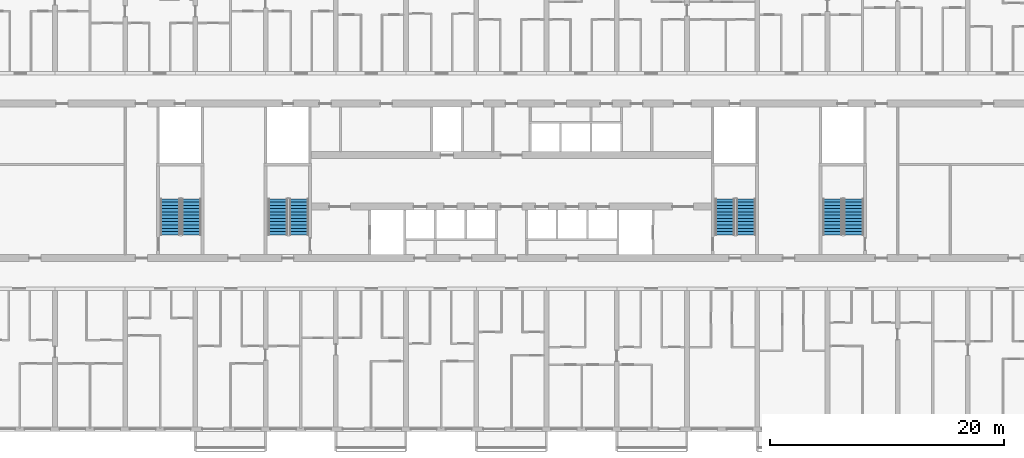
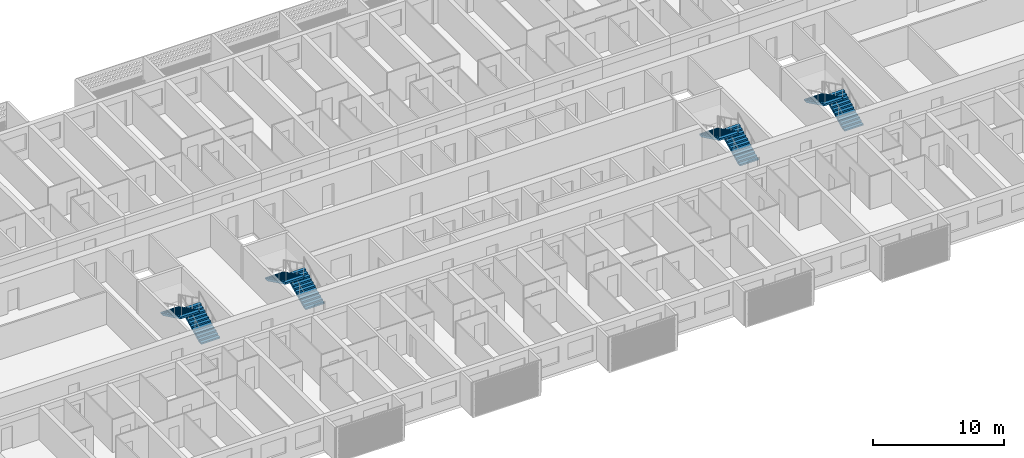
# One storey, part 20 of 44: 8 stair flights, 4 elements without a shape of their own.
"""IFC4 building model written with IfcOpenShell, lengths in metres."""

from ifc_helpers import new_model, si_unit, direction, frame, origin, place, context, subcontext, project, spatial, polyline, outline, extrude, material, layer, layer_set, type_object, element, aggregate, save


model = new_model("IFC4")

# Units and contexts
model_context = context("Model", 3, precision=1e-05, world=origin(), true_north=direction((0.0, 1.0)))
body_context = subcontext(model_context, "Body", "Model", "MODEL_VIEW")
ifc_project = project(units=[si_unit("LENGTHUNIT", "METRE"), si_unit("AREAUNIT", "SQUARE_METRE"), si_unit("VOLUMEUNIT", "CUBIC_METRE"), si_unit("PLANEANGLEUNIT", "RADIAN"), si_unit("MASSUNIT", "GRAM", prefix="KILO")], contexts=[model_context])

# Site, building, storey
site_placement = place(None, origin())
site = spatial("IfcSite", under=ifc_project, at=site_placement, CompositionType="ELEMENT")
building_placement = place(site_placement, origin())
building = spatial("IfcBuilding", under=site, at=building_placement, Name="Poui Terraces", CompositionType="ELEMENT")
storey_placement = place(building_placement, frame((0.0, 0.0, 30.0)))
storey = spatial("IfcBuildingStorey", under=building, at=storey_placement, Name="L07", CompositionType="ELEMENT", Elevation=30.0)

# Stair, stair flights
ifc_material = material(Name="Concrete 80 MPa", Category="concrete")
stair_type = type_object("IfcStairType", Name="EXIT STAIR 1650 80 MPA", PredefinedType="HALF_TURN_STAIR", material=ifc_material)
stair_1_placement = place(storey_placement, origin())
stair_1 = element("IfcStair", 1, at=stair_1_placement, inside=storey, type_object=stair_type, Name="L07 CORE STAIR EAST", PredefinedType="HALF_TURN_STAIR")
ifc_layer = layer(ifc_material, 0.14990234375)
ifc_layer_set = layer_set([ifc_layer], Name="Concrete 80 MPa")
stair_flight_type = type_object("IfcStairFlightType", Name="STAIR FLIGHT 12 RISERS 138 RISE 80 MPA", PredefinedType="STRAIGHT", material=ifc_layer_set)
stair_flight_1_placement = place(storey_placement, frame((71.050048828125, 16.60009765625, 0.0), z_axis=(0.0, 0.0, 1.0), x_axis=(0.0, 1.0, 0.0)))
stair_flight_1 = element("IfcStairFlight", 2, at=stair_flight_1_placement, type_object=stair_flight_type, Name="ST-CE flight 1", NumberOfRisers=12, NumberOfTreads=11, PredefinedType="STRAIGHT", RiserHeight=0.1375, TreadLength=0.28, context=body_context, shape_type="SweptSolid", body=[
    extrude(outline(polyline([(0.0, 0.0), (0.0, 0.137451171875), (0.280029296875, 0.137451171875), (0.280029296875, 0.27490234375), (0.56005859375, 0.27490234375), (0.56005859375, 0.41259765625), (0.840087890625, 0.41259765625), (0.840087890625, 0.550048828125), (1.1201171875, 0.550048828125), (1.1201171875, 0.6875), (1.39990234375, 0.6875), (1.39990234375, 0.824951171875), (1.679931640625, 0.824951171875), (1.679931640625, 0.96240234375), (1.9599609375, 0.96240234375), (1.9599609375, 1.10009765625), (2.239990234375, 1.10009765625), (2.239990234375, 1.237548828125), (2.52001953125, 1.237548828125), (2.52001953125, 1.375), (2.800048828125, 1.375), (2.800048828125, 1.512451171875), (3.080078125, 1.512451171875), (3.080078125, 1.64990234375), (3.080078125, 1.345458984375), (0.340087890625, 0.0), (0.0, 0.0)])), frame((0.0, 0.824951171875, 0.0), z_axis=(0.0, -1.0, 0.0), x_axis=(1.0, 0.0, 0.0)), (0.0, 0.0, 1.0), 1.64990234375),
])
stair_flight_2_placement = place(storey_placement, frame((69.25, 19.679931640625, 1.64990234375), z_axis=(0.0, 0.0, 1.0), x_axis=(0.0, -1.0, 0.0)))
stair_flight_2 = element("IfcStairFlight", 3, at=stair_flight_2_placement, type_object=stair_flight_type, Name="ST-CE flight 2", NumberOfRisers=12, NumberOfTreads=11, PredefinedType="STRAIGHT", RiserHeight=0.1375, TreadLength=0.28, context=body_context, shape_type="SweptSolid", body=[
    extrude(outline(polyline([(0.0, 0.0), (0.0, 0.137451171875), (0.280029296875, 0.137451171875), (0.280029296875, 0.27490234375), (0.56005859375, 0.27490234375), (0.56005859375, 0.41259765625), (0.840087890625, 0.41259765625), (0.840087890625, 0.550048828125), (1.1201171875, 0.550048828125), (1.1201171875, 0.6875), (1.39990234375, 0.6875), (1.39990234375, 0.824951171875), (1.679931640625, 0.824951171875), (1.679931640625, 0.96240234375), (1.9599609375, 0.96240234375), (1.9599609375, 1.10009765625), (2.239990234375, 1.10009765625), (2.239990234375, 1.237548828125), (2.52001953125, 1.237548828125), (2.52001953125, 1.375), (2.800048828125, 1.375), (2.800048828125, 1.512451171875), (3.080078125, 1.512451171875), (3.080078125, 1.64990234375), (3.080078125, 1.345458984375), (0.340087890625, 0.0), (0.0, 0.0)])), frame((0.0, 0.824951171875, 0.0), z_axis=(0.0, -1.0, 0.0), x_axis=(1.0, 0.0, 0.0)), (0.0, 0.0, 1.0), 1.64990234375),
])
aggregate(stair_1, [stair_flight_1, stair_flight_2])

stair_2_placement = place(storey_placement, origin())
stair_2 = element("IfcStair", 4, at=stair_2_placement, inside=storey, type_object=stair_type, Name="L07 CORE STAIR WEST", PredefinedType="HALF_TURN_STAIR")
stair_flight_3_placement = place(storey_placement, frame((32.85009765625, 16.60009765625, 0.0), z_axis=(0.0, 0.0, 1.0), x_axis=(0.0, 1.0, 0.0)))
stair_flight_3 = element("IfcStairFlight", 5, at=stair_flight_3_placement, type_object=stair_flight_type, Name="ST-CW flight 1", NumberOfRisers=12, NumberOfTreads=11, PredefinedType="STRAIGHT", RiserHeight=0.1375, TreadLength=0.28, context=body_context, shape_type="SweptSolid", body=[
    extrude(outline(polyline([(0.0, 0.0), (0.0, 0.137451171875), (0.280029296875, 0.137451171875), (0.280029296875, 0.27490234375), (0.56005859375, 0.27490234375), (0.56005859375, 0.41259765625), (0.840087890625, 0.41259765625), (0.840087890625, 0.550048828125), (1.1201171875, 0.550048828125), (1.1201171875, 0.6875), (1.39990234375, 0.6875), (1.39990234375, 0.824951171875), (1.679931640625, 0.824951171875), (1.679931640625, 0.96240234375), (1.9599609375, 0.96240234375), (1.9599609375, 1.10009765625), (2.239990234375, 1.10009765625), (2.239990234375, 1.237548828125), (2.52001953125, 1.237548828125), (2.52001953125, 1.375), (2.800048828125, 1.375), (2.800048828125, 1.512451171875), (3.080078125, 1.512451171875), (3.080078125, 1.64990234375), (3.080078125, 1.345458984375), (0.340087890625, 0.0), (0.0, 0.0)])), frame((0.0, 0.824951171875, 0.0), z_axis=(0.0, -1.0, 0.0), x_axis=(1.0, 0.0, 0.0)), (0.0, 0.0, 1.0), 1.64990234375),
])
stair_flight_4_placement = place(storey_placement, frame((31.050048828125, 19.679931640625, 1.64990234375), z_axis=(0.0, 0.0, 1.0), x_axis=(0.0, -1.0, 0.0)))
stair_flight_4 = element("IfcStairFlight", 6, at=stair_flight_4_placement, type_object=stair_flight_type, Name="ST-CW flight 2", NumberOfRisers=12, NumberOfTreads=11, PredefinedType="STRAIGHT", RiserHeight=0.1375, TreadLength=0.28, context=body_context, shape_type="SweptSolid", body=[
    extrude(outline(polyline([(0.0, 0.0), (0.0, 0.137451171875), (0.280029296875, 0.137451171875), (0.280029296875, 0.27490234375), (0.56005859375, 0.27490234375), (0.56005859375, 0.41259765625), (0.840087890625, 0.41259765625), (0.840087890625, 0.550048828125), (1.1201171875, 0.550048828125), (1.1201171875, 0.6875), (1.39990234375, 0.6875), (1.39990234375, 0.824951171875), (1.679931640625, 0.824951171875), (1.679931640625, 0.96240234375), (1.9599609375, 0.96240234375), (1.9599609375, 1.10009765625), (2.239990234375, 1.10009765625), (2.239990234375, 1.237548828125), (2.52001953125, 1.237548828125), (2.52001953125, 1.375), (2.800048828125, 1.375), (2.800048828125, 1.512451171875), (3.080078125, 1.512451171875), (3.080078125, 1.64990234375), (3.080078125, 1.345458984375), (0.340087890625, 0.0), (0.0, 0.0)])), frame((0.0, 0.824951171875, 0.0), z_axis=(0.0, -1.0, 0.0), x_axis=(1.0, 0.0, 0.0)), (0.0, 0.0, 1.0), 1.64990234375),
])
aggregate(stair_2, [stair_flight_3, stair_flight_4])

stair_3_placement = place(storey_placement, origin())
stair_3 = element("IfcStair", 7, at=stair_3_placement, inside=storey, type_object=stair_type, Name="L07 TIP STAIR EAST", PredefinedType="HALF_TURN_STAIR")
stair_flight_5_placement = place(storey_placement, frame((80.25, 16.60009765625, 0.0), z_axis=(0.0, 0.0, 1.0), x_axis=(0.0, 1.0, 0.0)))
stair_flight_5 = element("IfcStairFlight", 8, at=stair_flight_5_placement, type_object=stair_flight_type, Name="ST-E flight 1", NumberOfRisers=12, NumberOfTreads=11, PredefinedType="STRAIGHT", RiserHeight=0.1375, TreadLength=0.28, context=body_context, shape_type="SweptSolid", body=[
    extrude(outline(polyline([(0.0, 0.0), (0.0, 0.137451171875), (0.280029296875, 0.137451171875), (0.280029296875, 0.27490234375), (0.56005859375, 0.27490234375), (0.56005859375, 0.41259765625), (0.840087890625, 0.41259765625), (0.840087890625, 0.550048828125), (1.1201171875, 0.550048828125), (1.1201171875, 0.6875), (1.39990234375, 0.6875), (1.39990234375, 0.824951171875), (1.679931640625, 0.824951171875), (1.679931640625, 0.96240234375), (1.9599609375, 0.96240234375), (1.9599609375, 1.10009765625), (2.239990234375, 1.10009765625), (2.239990234375, 1.237548828125), (2.52001953125, 1.237548828125), (2.52001953125, 1.375), (2.800048828125, 1.375), (2.800048828125, 1.512451171875), (3.080078125, 1.512451171875), (3.080078125, 1.64990234375), (3.080078125, 1.345458984375), (0.340087890625, 0.0), (0.0, 0.0)])), frame((0.0, 0.824951171875, 0.0), z_axis=(0.0, -1.0, 0.0), x_axis=(1.0, 0.0, 0.0)), (0.0, 0.0, 1.0), 1.64990234375),
])
stair_flight_6_placement = place(storey_placement, frame((78.449951171875, 19.679931640625, 1.64990234375), z_axis=(0.0, 0.0, 1.0), x_axis=(0.0, -1.0, 0.0)))
stair_flight_6 = element("IfcStairFlight", 9, at=stair_flight_6_placement, type_object=stair_flight_type, Name="ST-E flight 2", NumberOfRisers=12, NumberOfTreads=11, PredefinedType="STRAIGHT", RiserHeight=0.1375, TreadLength=0.28, context=body_context, shape_type="SweptSolid", body=[
    extrude(outline(polyline([(0.0, 0.0), (0.0, 0.137451171875), (0.280029296875, 0.137451171875), (0.280029296875, 0.27490234375), (0.56005859375, 0.27490234375), (0.56005859375, 0.41259765625), (0.840087890625, 0.41259765625), (0.840087890625, 0.550048828125), (1.1201171875, 0.550048828125), (1.1201171875, 0.6875), (1.39990234375, 0.6875), (1.39990234375, 0.824951171875), (1.679931640625, 0.824951171875), (1.679931640625, 0.96240234375), (1.9599609375, 0.96240234375), (1.9599609375, 1.10009765625), (2.239990234375, 1.10009765625), (2.239990234375, 1.237548828125), (2.52001953125, 1.237548828125), (2.52001953125, 1.375), (2.800048828125, 1.375), (2.800048828125, 1.512451171875), (3.080078125, 1.512451171875), (3.080078125, 1.64990234375), (3.080078125, 1.345458984375), (0.340087890625, 0.0), (0.0, 0.0)])), frame((0.0, 0.824951171875, 0.0), z_axis=(0.0, -1.0, 0.0), x_axis=(1.0, 0.0, 0.0)), (0.0, 0.0, 1.0), 1.64990234375),
])
aggregate(stair_3, [stair_flight_5, stair_flight_6])

stair_4_placement = place(storey_placement, origin())
stair_4 = element("IfcStair", 10, at=stair_4_placement, inside=storey, type_object=stair_type, Name="L07 TIP STAIR WEST", PredefinedType="HALF_TURN_STAIR")
stair_flight_7_placement = place(storey_placement, frame((23.64990234375, 16.60009765625, 0.0), z_axis=(0.0, 0.0, 1.0), x_axis=(0.0, 1.0, 0.0)))
stair_flight_7 = element("IfcStairFlight", 11, at=stair_flight_7_placement, type_object=stair_flight_type, Name="ST-W flight 1", NumberOfRisers=12, NumberOfTreads=11, PredefinedType="STRAIGHT", RiserHeight=0.1375, TreadLength=0.28, context=body_context, shape_type="SweptSolid", body=[
    extrude(outline(polyline([(0.0, 0.0), (0.0, 0.137451171875), (0.280029296875, 0.137451171875), (0.280029296875, 0.27490234375), (0.56005859375, 0.27490234375), (0.56005859375, 0.41259765625), (0.840087890625, 0.41259765625), (0.840087890625, 0.550048828125), (1.1201171875, 0.550048828125), (1.1201171875, 0.6875), (1.39990234375, 0.6875), (1.39990234375, 0.824951171875), (1.679931640625, 0.824951171875), (1.679931640625, 0.96240234375), (1.9599609375, 0.96240234375), (1.9599609375, 1.10009765625), (2.239990234375, 1.10009765625), (2.239990234375, 1.237548828125), (2.52001953125, 1.237548828125), (2.52001953125, 1.375), (2.800048828125, 1.375), (2.800048828125, 1.512451171875), (3.080078125, 1.512451171875), (3.080078125, 1.64990234375), (3.080078125, 1.345458984375), (0.340087890625, 0.0), (0.0, 0.0)])), frame((0.0, 0.824951171875, 0.0), z_axis=(0.0, -1.0, 0.0), x_axis=(1.0, 0.0, 0.0)), (0.0, 0.0, 1.0), 1.64990234375),
])
stair_flight_8_placement = place(storey_placement, frame((21.85009765625, 19.679931640625, 1.64990234375), z_axis=(0.0, 0.0, 1.0), x_axis=(0.0, -1.0, 0.0)))
stair_flight_8 = element("IfcStairFlight", 12, at=stair_flight_8_placement, type_object=stair_flight_type, Name="ST-W flight 2", NumberOfRisers=12, NumberOfTreads=11, PredefinedType="STRAIGHT", RiserHeight=0.1375, TreadLength=0.28, context=body_context, shape_type="SweptSolid", body=[
    extrude(outline(polyline([(0.0, 0.0), (0.0, 0.137451171875), (0.280029296875, 0.137451171875), (0.280029296875, 0.27490234375), (0.56005859375, 0.27490234375), (0.56005859375, 0.41259765625), (0.840087890625, 0.41259765625), (0.840087890625, 0.550048828125), (1.1201171875, 0.550048828125), (1.1201171875, 0.6875), (1.39990234375, 0.6875), (1.39990234375, 0.824951171875), (1.679931640625, 0.824951171875), (1.679931640625, 0.96240234375), (1.9599609375, 0.96240234375), (1.9599609375, 1.10009765625), (2.239990234375, 1.10009765625), (2.239990234375, 1.237548828125), (2.52001953125, 1.237548828125), (2.52001953125, 1.375), (2.800048828125, 1.375), (2.800048828125, 1.512451171875), (3.080078125, 1.512451171875), (3.080078125, 1.64990234375), (3.080078125, 1.345458984375), (0.340087890625, 0.0), (0.0, 0.0)])), frame((0.0, 0.824951171875, 0.0), z_axis=(0.0, -1.0, 0.0), x_axis=(1.0, 0.0, 0.0)), (0.0, 0.0, 1.0), 1.64990234375),
])
aggregate(stair_4, [stair_flight_7, stair_flight_8])

save(model, "model.ifc")
